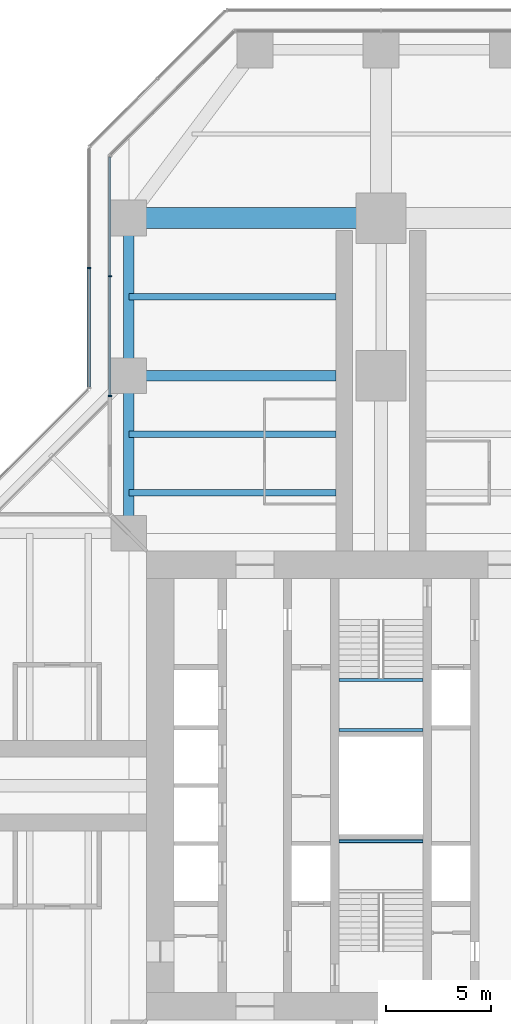
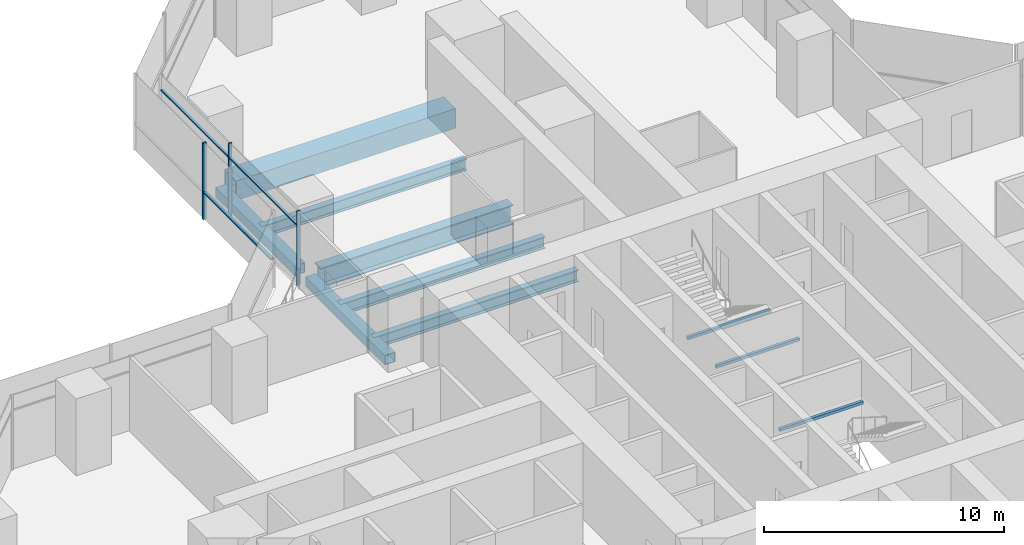
# One storey, part 9 of 22: 10 beams, 6 members, 2 elements without a shape of their own.
"""IFC4 building model written with IfcOpenShell, lengths in metres."""

from ifc_helpers import new_model, si_unit, direction, frame, origin, origin_2d, place, context, subcontext, project, spatial, rectangle, hollow_rectangle, i_section, extrude, material, material_profile, profile_set, type_object, element, aggregate, save


model = new_model("IFC4")

# Units and contexts
model_context = context("Model", 3, precision=1e-05, world=origin(), true_north=direction((0.0, 1.0)))
body_context = subcontext(model_context, "Body", "Model", "MODEL_VIEW")
ifc_project = project(units=[si_unit("LENGTHUNIT", "METRE"), si_unit("AREAUNIT", "SQUARE_METRE"), si_unit("VOLUMEUNIT", "CUBIC_METRE"), si_unit("PLANEANGLEUNIT", "RADIAN"), si_unit("MASSUNIT", "GRAM", prefix="KILO")], contexts=[model_context])

# Site, building, storey
site_placement = place(None, origin())
site = spatial("IfcSite", under=ifc_project, at=site_placement, CompositionType="ELEMENT")
building_placement = place(site_placement, origin())
building = spatial("IfcBuilding", under=site, at=building_placement, Name="Mizan Broadcast Tower", CompositionType="ELEMENT")
storey_placement = place(building_placement, frame((0.0, 0.0, 59.10009765625)))
storey = spatial("IfcBuildingStorey", under=building, at=storey_placement, Name="L11", CompositionType="ELEMENT", Elevation=59.10009765625)

# Beams
ifc_material_1 = material(Name="Steel S355", Category="steel")
ifc_material_profile_1 = material_profile(ifc_material_1, hollow_rectangle(XDim=0.5, YDim=0.5, WallThickness=0.030029296875, at=origin_2d()), Name="BOX 500x500x30")
ifc_profile_set_1 = profile_set([ifc_material_profile_1], Name="Steel S355")
beam_type_1 = type_object("IfcBeamType", Name="EDGE BEAM BOX 500x500x30", PredefinedType="SPANDREL", material=ifc_profile_set_1)
for number, where, z_axis, x_axis, name in (
    (1, (-12.0, 12.449951171875, -0.380126953125), (0.0, 1.0, 0.0), (-1.0, 0.0, 0.0), "Edge beam BOX 500x500x30 L11 north arm"),
    (2, (-12.0, 19.949951171875, -0.380126953125), (0.0, 1.0, 0.0), (-1.0, 0.0, 0.0), "Edge beam BOX 500x500x30 L11 north arm"),
):
    element("IfcBeam", number, at=place(storey_placement, frame(where, z_axis=z_axis, x_axis=x_axis)), inside=storey, type_object=beam_type_1, Name=name, PredefinedType="SPANDREL", context=body_context, shape_type="SweptSolid", body=[
        extrude(hollow_rectangle(XDim=0.5, YDim=0.5, WallThickness=0.030029296875, at=origin_2d()), origin(), (0.0, 0.0, 1.0), 6.60009765625),
    ])
ifc_material_2 = material(Name="Steel S460", Category="steel")
ifc_material_profile_2 = material_profile(ifc_material_2, hollow_rectangle(XDim=1.0, YDim=1.0, WallThickness=0.080078125, at=origin_2d()), Name="BOX 1000x1000x80")
ifc_profile_set_2 = profile_set([ifc_material_profile_2], Name="Steel S460")
beam_type_2 = type_object("IfcBeamType", Name="GIRDER BOX 1000x1000x80", PredefinedType="BEAM", material=ifc_profile_set_2)
beam_1_placement = place(storey_placement, frame((-11.280029296875, 27.0, -0.630126953125), z_axis=(1.0, 0.0, 0.0), x_axis=(0.0, 1.0, 0.0)))
element("IfcBeam", 3, at=beam_1_placement, inside=storey, type_object=beam_type_2, Name="Girder BOX 1000x1000x80 L11 north arm", PredefinedType="BEAM", context=body_context, shape_type="SweptSolid", body=[
    extrude(hollow_rectangle(XDim=1.0, YDim=1.0, WallThickness=0.080078125, at=origin_2d()), origin(), (0.0, 0.0, 1.0), 10.56005859375),
])
ifc_material_3 = material(Name="Steel S460", Category="steel")
ifc_material_profile_3 = material_profile(ifc_material_3, i_section(OverallWidth=0.5, OverallDepth=1.0, WebThickness=0.02490234375, FlangeThickness=0.050048828125, at=origin_2d()), Name="WPG 1000x500")
ifc_profile_set_3 = profile_set([ifc_material_profile_3], Name="Steel S460")
beam_type_3 = type_object("IfcBeamType", Name="GIRDER WPG 1000x500", PredefinedType="BEAM", material=ifc_profile_set_3)
beam_2_placement = place(storey_placement, frame((-11.408935546875, 19.5, -0.630126953125), z_axis=(1.0, 0.0, 0.0), x_axis=(0.0, 1.0, 0.0)))
element("IfcBeam", 4, at=beam_2_placement, inside=storey, type_object=beam_type_3, Name="Girder WPG 1000x500 L11 north arm", PredefinedType="BEAM", context=body_context, shape_type="SweptSolid", body=[
    extrude(i_section(OverallWidth=0.5, OverallDepth=1.0, WebThickness=0.02490234375, FlangeThickness=0.050048828125, at=origin_2d()), origin(), (0.0, 0.0, 1.0), 9.259033203125),
])

# Curtain wall, members
ifc_material_4 = material(Name="Aluminium framed glazing", Category="aluminium")
curtain_wall_type_1 = type_object("IfcCurtainWallType", Name="INNER SKIN LOW ZONE", PredefinedType="USERDEFINED", material=ifc_material_4)
curtain_wall_1_placement = place(storey_placement, origin())
curtain_wall_1 = element("IfcCurtainWall", 5, at=curtain_wall_1_placement, inside=storey, type_object=curtain_wall_type_1, Name="Inner skin low zone L11 N side", ObjectType="INNER SKIN LOW ZONE", PredefinedType="USERDEFINED")
ifc_material_5 = material(Name="Aluminium, pale anodised", Category="aluminium")
ifc_material_profile_4 = material_profile(ifc_material_5, rectangle(XDim=0.159912109375, YDim=0.06005859375, at=origin_2d()), Name="MULLION 160x60")
ifc_profile_set_4 = profile_set([ifc_material_profile_4], Name="Aluminium, pale anodised")
member_type_1 = type_object("IfcMemberType", Name="INNER SKIN MULLION 60x160", PredefinedType="MULLION", material=ifc_profile_set_4)
member_1_placement = place(storey_placement, frame((-12.89990234375, 24.229248046875, 0.0), z_axis=(0.0, 0.0, 1.0), x_axis=(1.0, 0.0, 0.0)))
member_1 = element("IfcMember", 6, at=member_1_placement, type_object=member_type_1, Name="Inner skin low zone L11 N side mullion 2", PredefinedType="MULLION", context=body_context, shape_type="SweptSolid", body=[
    extrude(rectangle(XDim=0.159912109375, YDim=0.06005859375, at=origin_2d()), origin(), (0.0, 0.0, 1.0), 3.77001953125),
])
member_2_placement = place(storey_placement, frame((-12.89990234375, 18.530029296875, 0.0), z_axis=(0.0, 0.0, 1.0), x_axis=(1.0, 0.0, 0.0)))
member_2 = element("IfcMember", 7, at=member_2_placement, type_object=member_type_1, Name="Inner skin low zone L11 N side mullion 3", PredefinedType="MULLION", context=body_context, shape_type="SweptSolid", body=[
    extrude(rectangle(XDim=0.159912109375, YDim=0.06005859375, at=origin_2d()), origin(), (0.0, 0.0, 1.0), 3.77001953125),
])
ifc_material_6 = material(Name="Aluminium, pale anodised", Category="aluminium")
ifc_material_profile_5 = material_profile(ifc_material_6, rectangle(XDim=0.1201171875, YDim=0.06005859375, at=origin_2d()), Name="TRANSOM 120x60")
ifc_profile_set_5 = profile_set([ifc_material_profile_5], Name="Aluminium, pale anodised")
member_type_2 = type_object("IfcMemberType", Name="INNER SKIN TRANSOM 60x120", PredefinedType="USERDEFINED", material=ifc_profile_set_5)
member_3_placement = place(storey_placement, frame((-12.89990234375, 29.898681640625, 3.02978515625), z_axis=(0.0, -1.0, 0.0), x_axis=(1.0, 0.0, 0.0)))
member_3 = element("IfcMember", 8, at=member_3_placement, type_object=member_type_2, Name="Inner skin low zone L11 N side transom 1.1", ObjectType="TRANSOM", PredefinedType="USERDEFINED", context=body_context, shape_type="SweptSolid", body=[
    extrude(rectangle(XDim=0.1201171875, YDim=0.06005859375, at=origin_2d()), origin(), (0.0, 0.0, 1.0), 5.639404296875),
])
member_4_placement = place(storey_placement, frame((-12.89990234375, 24.19921875, 3.02978515625), z_axis=(0.0, -1.0, 0.0), x_axis=(1.0, 0.0, 0.0)))
member_4 = element("IfcMember", 9, at=member_4_placement, type_object=member_type_2, Name="Inner skin low zone L11 N side transom 2.1", ObjectType="TRANSOM", PredefinedType="USERDEFINED", context=body_context, shape_type="SweptSolid", body=[
    extrude(rectangle(XDim=0.1201171875, YDim=0.06005859375, at=origin_2d()), origin(), (0.0, 0.0, 1.0), 5.63916015625),
])
aggregate(curtain_wall_1, [member_1, member_2, member_3, member_4])

# Beams
ifc_material_7 = material(Name="Steel S355", Category="steel")
ifc_material_profile_6 = material_profile(ifc_material_7, hollow_rectangle(XDim=0.14990234375, YDim=0.14990234375, WallThickness=0.008056640625, InnerFilletRadius=0.008056640625, OuterFilletRadius=0.011962890625, at=origin_2d()), Name="SHS 150x150x8")
ifc_profile_set_6 = profile_set([ifc_material_profile_6], Name="Steel S355")
beam_type_4 = type_object("IfcBeamType", Name="LANDING TRIMMER SHS 150x150x8", PredefinedType="BEAM", material=ifc_profile_set_6)
for number, where, z_axis, x_axis, name in (
    (10, (-2.0, -2.64990234375, 1.6748046875), (1.0, 0.0, 0.0), (0.0, 1.0, 0.0), "Stair A landing trimmer L11"),
    (11, (2.0, 5.02490234375, 1.6748046875), (-1.0, 0.0, 0.0), (0.0, -1.0, 0.0), "Stair B landing trimmer L11"),
    (12, (2.0, 2.64990234375, 1.6748046875), (-1.0, 0.0, 0.0), (0.0, -1.0, 0.0), "Stair B landing trimmer L11"),
):
    element("IfcBeam", number, at=place(storey_placement, frame(where, z_axis=z_axis, x_axis=x_axis)), inside=storey, type_object=beam_type_4, Name=name, PredefinedType="BEAM", context=body_context, shape_type="SweptSolid", body=[
        extrude(hollow_rectangle(XDim=0.14990234375, YDim=0.14990234375, WallThickness=0.008056640625, InnerFilletRadius=0.008056640625, OuterFilletRadius=0.011962890625, at=origin_2d()), origin(), (0.0, 0.0, 1.0), 4.0),
    ])

# Curtain wall, members
ifc_material_8 = material(Name="Aluminium framed glazing", Category="aluminium")
curtain_wall_type_2 = type_object("IfcCurtainWallType", Name="OUTER SKIN", PredefinedType="USERDEFINED", material=ifc_material_8)
curtain_wall_2_placement = place(storey_placement, origin())
curtain_wall_2 = element("IfcCurtainWall", 13, at=curtain_wall_2_placement, inside=storey, type_object=curtain_wall_type_2, Name="Outer skin L11 N side", ObjectType="OUTER SKIN", PredefinedType="USERDEFINED")
ifc_material_9 = material(Name="Aluminium, pale anodised", Category="aluminium")
ifc_material_profile_7 = material_profile(ifc_material_9, rectangle(XDim=0.159912109375, YDim=0.080078125, at=origin_2d()), Name="MULLION 160x80")
ifc_profile_set_7 = profile_set([ifc_material_profile_7], Name="Aluminium, pale anodised")
member_type_3 = type_object("IfcMemberType", Name="OUTER SKIN MULLION 80x160", PredefinedType="MULLION", material=ifc_profile_set_7)
member_5_placement = place(storey_placement, frame((-13.89990234375, 24.622802734375, 0.0), z_axis=(0.0, 0.0, 1.0), x_axis=(1.0, 0.0, 0.0)))
member_5 = element("IfcMember", 14, at=member_5_placement, type_object=member_type_3, Name="Outer skin L11 N side mullion 2", PredefinedType="MULLION", context=body_context, shape_type="SweptSolid", body=[
    extrude(rectangle(XDim=0.159912109375, YDim=0.080078125, at=origin_2d()), origin(), (0.0, 0.0, 1.0), 3.89990234375),
])
ifc_material_10 = material(Name="Aluminium, pale anodised", Category="aluminium")
ifc_material_profile_8 = material_profile(ifc_material_10, rectangle(XDim=0.159912109375, YDim=0.06005859375, at=origin_2d()), Name="TRANSOM 160x60")
ifc_profile_set_8 = profile_set([ifc_material_profile_8], Name="Aluminium, pale anodised")
member_type_4 = type_object("IfcMemberType", Name="OUTER SKIN TRANSOM 60x160", PredefinedType="USERDEFINED", material=ifc_profile_set_8)
member_6_placement = place(storey_placement, frame((-13.89990234375, 24.582763671875, 1.39990234375), z_axis=(0.0, -1.0, 0.0), x_axis=(1.0, 0.0, 0.0)))
member_6 = element("IfcMember", 15, at=member_6_placement, type_object=member_type_4, Name="Outer skin L11 N side transom 2.1", ObjectType="TRANSOM", PredefinedType="USERDEFINED", context=body_context, shape_type="SweptSolid", body=[
    extrude(rectangle(XDim=0.159912109375, YDim=0.06005859375, at=origin_2d()), origin(), (0.0, 0.0, 1.0), 5.6298828125),
])
aggregate(curtain_wall_2, [member_5, member_6])

# Beams
ifc_material_11 = material(Name="Steel S355", Category="steel")
ifc_material_profile_9 = material_profile(ifc_material_11, i_section(OverallWidth=0.300048828125, OverallDepth=0.590087890625, WebThickness=0.012939453125, FlangeThickness=0.02490234375, FilletRadius=0.027099609375, at=origin_2d()), Name="HEA 600")
ifc_profile_set_9 = profile_set([ifc_material_profile_9], Name="Steel S355")
beam_type_5 = type_object("IfcBeamType", Name="SECONDARY BEAM HEA 600", PredefinedType="JOIST", material=ifc_profile_set_9)
for number, where, z_axis, x_axis, name in (
    (16, (-12.0, 13.933349609375, -0.425048828125), (1.0, 0.0, 0.0), (0.0, 1.0, 0.0), "Secondary beam HEA 600 L11 north arm"),
    (17, (-12.0, 16.716552734375, -0.425048828125), (1.0, 0.0, 0.0), (0.0, 1.0, 0.0), "Secondary beam HEA 600 L11 north arm"),
    (18, (-12.0, 23.25, -0.425048828125), (1.0, 0.0, 0.0), (0.0, 1.0, 0.0), "Secondary beam HEA 600 L11 north arm"),
):
    element("IfcBeam", number, at=place(storey_placement, frame(where, z_axis=z_axis, x_axis=x_axis)), inside=storey, type_object=beam_type_5, Name=name, PredefinedType="JOIST", context=body_context, shape_type="SweptSolid", body=[
        extrude(i_section(OverallWidth=0.300048828125, OverallDepth=0.590087890625, WebThickness=0.012939453125, FlangeThickness=0.02490234375, FilletRadius=0.027099609375, at=origin_2d()), origin(), (0.0, 0.0, 1.0), 9.85009765625),
    ])

save(model, "model.ifc")
